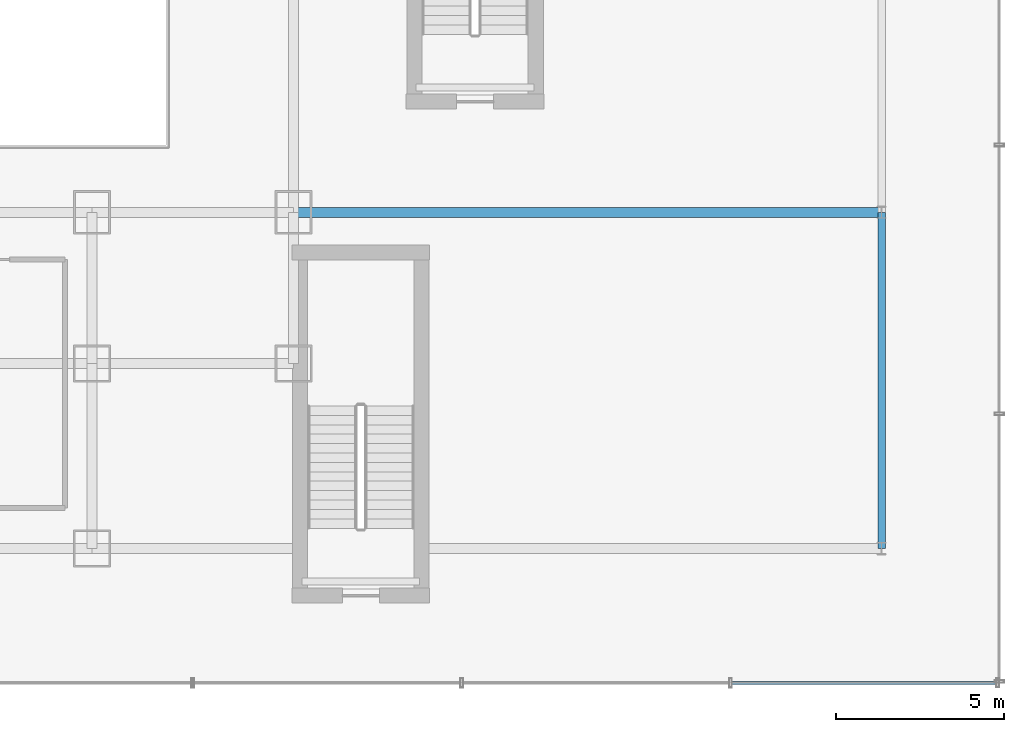
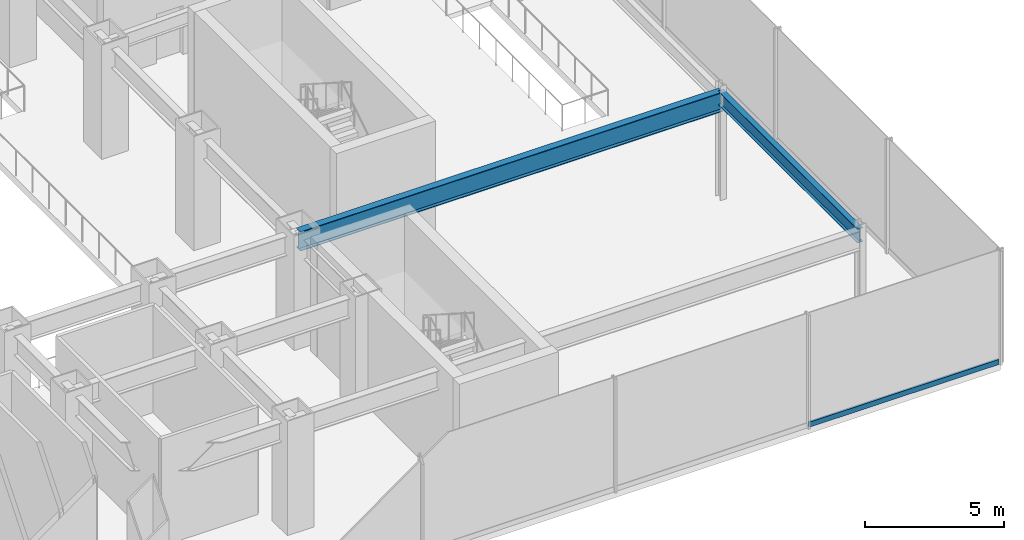
# One storey, part 20 of 39: 2 beams, 1 member, 1 element without a shape of its own.
"""IFC4 building model written with IfcOpenShell, lengths in metres."""

from ifc_helpers import new_model, si_unit, derived_unit, direction, frame, origin, origin_2d, place, context, subcontext, project, spatial, hollow_rectangle, i_section, extrude, source, transform, mapped, material, material_profile, profile_set, type_object, element, aggregate, save


model = new_model("IFC4")

# Units and contexts
model_context = context("Model", 3, precision=1e-05, world=origin(), true_north=direction((0.0, 1.0)))
body_context = subcontext(model_context, "Body", "Model", "MODEL_VIEW")
ifc_project = project(units=[si_unit("LENGTHUNIT", "METRE"), si_unit("AREAUNIT", "SQUARE_METRE"), si_unit("VOLUMEUNIT", "CUBIC_METRE"), si_unit("PLANEANGLEUNIT", "RADIAN"), si_unit("MASSUNIT", "GRAM", prefix="KILO"), derived_unit("THERMALTRANSMITTANCEUNIT", [(si_unit("POWERUNIT", "WATT"), 1), (si_unit("LENGTHUNIT", "METRE"), -2), (si_unit("THERMODYNAMICTEMPERATUREUNIT", "KELVIN"), -1)])], contexts=[model_context])

# Site, building, storey
site_placement = place(None, origin())
site = spatial("IfcSite", under=ifc_project, at=site_placement, CompositionType="ELEMENT")
building_placement = place(site_placement, origin())
building = spatial("IfcBuilding", under=site, at=building_placement, Name="Skarnbrae Concourse Arena and Tower", CompositionType="ELEMENT")
storey_placement = place(building_placement, frame((0.0, 0.0, 11.0)))
storey = spatial("IfcBuildingStorey", under=building, at=storey_placement, Name="L02", CompositionType="ELEMENT", Elevation=11.0)

# Beams
ifc_material_1 = material(Name="Steel CSA G40.21 350W", Category="steel")
ifc_material_profile_1 = material_profile(ifc_material_1, i_section(OverallWidth=0.2939453125, OverallDepth=0.85107421875, WebThickness=0.01611328125, FlangeThickness=0.02685546875, at=origin_2d()), Name="W840X226")
ifc_profile_set_1 = profile_set([ifc_material_profile_1], Name="Steel CSA G40.21 350W")
beam_type_1 = type_object("IfcBeamType", Name="BM-GIRD-W840X226", PredefinedType="BEAM", material=ifc_profile_set_1)
shared_shape_1 = source(origin(), body_context, "Body", "SweptSolid", [
    extrude(i_section(OverallWidth=0.2939453125, OverallDepth=0.85107421875, WebThickness=0.01611328125, FlangeThickness=0.02685546875, at=origin_2d()), origin(), (0.0, 0.0, 1.0), 17.5),
])
beam_1_placement = place(storey_placement, frame((61.0, 14.0, 4.2744140625), z_axis=(1.0, 0.0, 0.0), x_axis=(0.0, 1.0, 0.0)))
element("IfcBeam", 1, at=beam_1_placement, inside=storey, type_object=beam_type_1, Name="L02 Podium south spine girder 10", PredefinedType="BEAM", context=body_context, shape_type="MappedRepresentation", body=[
    mapped(shared_shape_1, transform((0.0, 0.0, 0.0))),
])
ifc_material_profile_2 = material_profile(ifc_material_1, i_section(OverallWidth=0.22802734375, OverallDepth=0.60791015625, WebThickness=0.01123046875, FlangeThickness=0.017333984375, at=origin_2d()), Name="W610X113")
ifc_profile_set_2 = profile_set([ifc_material_profile_2], Name="Steel CSA G40.21 350W")
beam_type_2 = type_object("IfcBeamType", Name="BM-GIRD-W610X113", PredefinedType="BEAM", material=ifc_profile_set_2)
shared_shape_2 = source(origin(), body_context, "Body", "SweptSolid", [
    extrude(i_section(OverallWidth=0.22802734375, OverallDepth=0.60791015625, WebThickness=0.01123046875, FlangeThickness=0.017333984375, at=origin_2d()), origin(), (0.0, 0.0, 1.0), 10.0),
])
beam_2_placement = place(storey_placement, frame((78.5, 4.0, 4.39599609375), z_axis=(0.0, 1.0, 0.0), x_axis=(-1.0, 0.0, 0.0)))
element("IfcBeam", 2, at=beam_2_placement, inside=storey, type_object=beam_type_2, Name="L02 Podium outer east girder 1", PredefinedType="BEAM", context=body_context, shape_type="MappedRepresentation", body=[
    mapped(shared_shape_2, transform((0.0, 0.0, 0.0))),
])

# Curtain wall, member
ifc_material_2 = material(Name="Bronze anodised aluminium 6063-T6", Category="aluminium")
curtain_wall_type = type_object("IfcCurtainWallType", Name="CW-SYS-01-PODIUM", PredefinedType="USERDEFINED", material=ifc_material_2)
curtain_wall_placement = place(storey_placement, origin())
curtain_wall = element("IfcCurtainWall", 3, at=curtain_wall_placement, inside=storey, type_object=curtain_wall_type, Name="L02 Unitised curtain wall CW-L02-SE", ObjectType="UNITISED CURTAIN WALL", PredefinedType="USERDEFINED")
ifc_material_profile_3 = material_profile(ifc_material_2, hollow_rectangle(XDim=0.0849609375, YDim=0.219970703125, WallThickness=0.006103515625, at=origin_2d()), Name="ALU-TRAN-85X220")
ifc_profile_set_3 = profile_set([ifc_material_profile_3], Name="Bronze anodised aluminium 6063-T6")
member_type = type_object("IfcMemberType", Name="CWT-CW-01", PredefinedType="USERDEFINED", material=ifc_profile_set_3)
shared_shape_3 = source(origin(), body_context, "Body", "SweptSolid", [
    extrude(hollow_rectangle(XDim=0.0849609375, YDim=0.219970703125, WallThickness=0.006103515625, at=origin_2d()), origin(), (0.0, 0.0, 1.0), 7.87255859375),
])
member_placement = place(storey_placement, frame((74.04248046875, 0.0, 0.110107421875), z_axis=(1.0, 0.0, 0.0), x_axis=(0.0, 1.0, 0.0)))
member = element("IfcMember", 4, at=member_placement, type_object=member_type, Name="CW-L02-SE Transom 6", ObjectType="TRANSOM", PredefinedType="USERDEFINED", context=body_context, shape_type="MappedRepresentation", body=[
    mapped(shared_shape_3, transform((0.0, 0.0, 0.0))),
])
aggregate(curtain_wall, [member])

save(model, "model.ifc")
